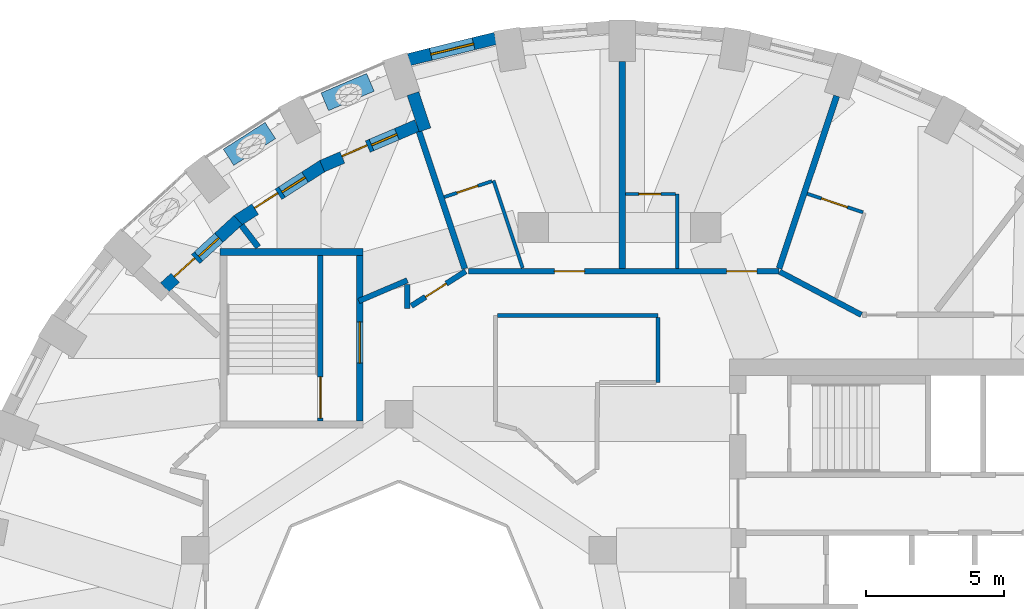
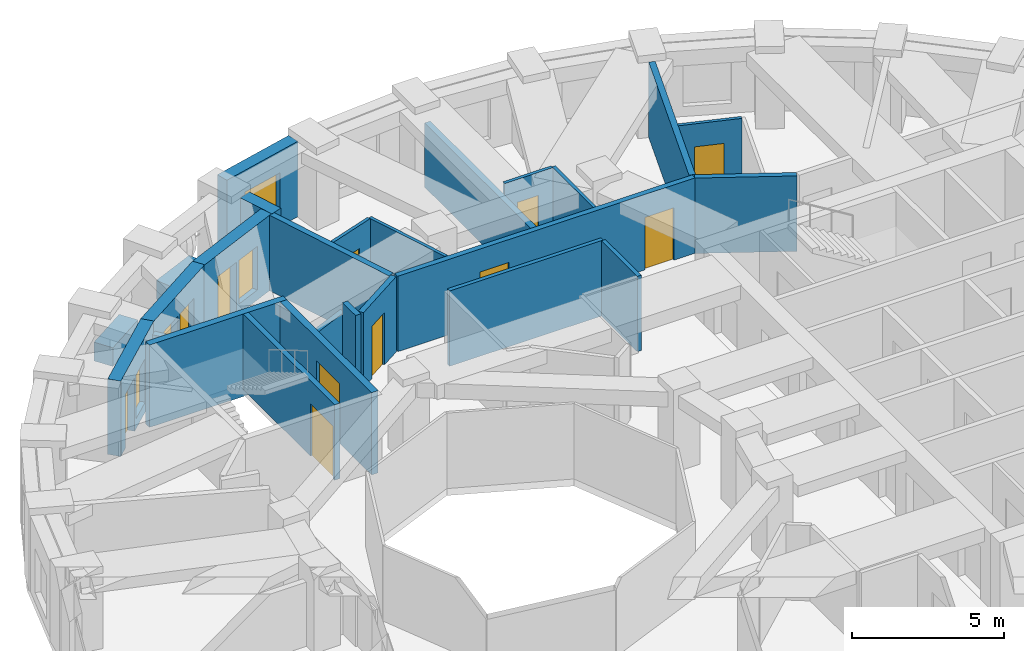
# One storey, part 7 of 12: 26 walls, 11 doors, 4 windows, 15 openings.
"""IFC4 building model written with IfcOpenShell, lengths in metres."""

import ifcopenshell
import ifcopenshell.guid

model = None  # the IFC model being written
_history = None  # IfcOwnerHistory: only IFC2X3 demands one
_inside = {}  # id of a spatial element -> (the spatial element, [elements in it])
_under = {}  # id of a project, library or spatial element -> (it, [spatial elements below it])
_declared = {}  # id of a project -> (the project, [libraries it declares])
_typed = {}  # id of a type object -> (the type object, [elements of that type])
_made_of = {}  # id of a material, layer set ... -> (it, [elements and type objects made of it])


def new_model(schema):
    """Start an empty IFC model of exactly this schema.

    Asked for "IFC4X3", IfcOpenShell would pick the latest addendum, in which some entities
    have other attributes; the version numbers below select the first issue.
    IFC2X3 requires an IfcOwnerHistory on every rooted entity: one is made here for all.
    """
    global model, _history
    if schema == "IFC4X3":
        model = ifcopenshell.file(schema_version=(4, 3, 0, 0))
    else:
        model = ifcopenshell.file(schema=schema)
    _inside.clear()
    _under.clear()
    _declared.clear()
    _typed.clear()
    _made_of.clear()
    _history = None
    if model.schema == "IFC2X3":
        org = make("IfcOrganization", Name="unknown")
        user = make(
            "IfcPersonAndOrganization",
            ThePerson=make("IfcPerson", FamilyName="unknown"),
            TheOrganization=org,
        )
        app = make(
            "IfcApplication",
            ApplicationDeveloper=org,
            Version="unknown",
            ApplicationFullName="unknown",
            ApplicationIdentifier="unknown",
        )
        _history = make(
            "IfcOwnerHistory",
            OwningUser=user,
            OwningApplication=app,
            ChangeAction="ADDED",
            CreationDate=0,
        )
    return model


def make(cls, **values):
    """One entity of the class cls with the attributes given. An attribute that is None is left unset."""
    return model.create_entity(
        cls, **{name: value for name, value in values.items() if value is not None}
    )


def rooted(cls, **values):
    """An entity with a GlobalId (a new one), such as an element, a storey or a relation."""
    return make(cls, GlobalId=ifcopenshell.guid.new(), OwnerHistory=_history, **values)


def si_unit(unit_type, name, prefix=None):
    """IfcSIUnit, for example si_unit("LENGTHUNIT", "METRE", prefix="MILLI")."""
    return make("IfcSIUnit", UnitType=unit_type, Prefix=prefix, Name=name)


def assignment(units):
    """IfcUnitAssignment: the units of a project."""
    return None if units is None else make("IfcUnitAssignment", Units=units)


def point(xyz):
    """IfcCartesianPoint."""
    return None if xyz is None else make("IfcCartesianPoint", Coordinates=xyz)


def direction(xyz):
    """IfcDirection."""
    return None if xyz is None else make("IfcDirection", DirectionRatios=xyz)


def frame(location, z_axis=None, x_axis=None):
    """IfcAxis2Placement3D, a coordinate frame: its origin and axes. An axis left out is left unset."""
    return make(
        "IfcAxis2Placement3D",
        Location=point(location),
        Axis=direction(z_axis),
        RefDirection=direction(x_axis),
    )


def frame_2d(location, x_axis=None):
    """IfcAxis2Placement2D, a coordinate frame in the plane: its origin and x axis."""
    return make(
        "IfcAxis2Placement2D", Location=point(location), RefDirection=direction(x_axis)
    )


def origin():
    """The frame at (0, 0, 0) with its axes left unset."""
    return frame((0.0, 0.0, 0.0))


def place(relative_to, where):
    """IfcLocalPlacement: puts the frame where relative to a parent placement (None: the world)."""
    return make(
        "IfcLocalPlacement", PlacementRelTo=relative_to, RelativePlacement=where
    )


def context(
    kind, dimensions, precision=None, world=None, true_north=None, identifier=None
):
    """IfcGeometricRepresentationContext, for example the 3D "Model" context."""
    return make(
        "IfcGeometricRepresentationContext",
        ContextIdentifier=identifier,
        ContextType=kind,
        CoordinateSpaceDimension=dimensions,
        Precision=precision,
        WorldCoordinateSystem=world,
        TrueNorth=true_north,
    )


def subcontext(parent, identifier, kind, view, scale=None):
    """IfcGeometricRepresentationSubContext, for example "Body" below "Model"."""
    return make(
        "IfcGeometricRepresentationSubContext",
        ContextIdentifier=identifier,
        ContextType=kind,
        ParentContext=parent,
        TargetScale=scale,
        TargetView=view,
    )


def project(units=None, contexts=None):
    """IfcProject with its units and contexts."""
    return rooted(
        "IfcProject",
        Name="project",
        RepresentationContexts=contexts,
        UnitsInContext=assignment(units),
    )


def spatial(cls, under=None, at=None, **own):
    """A site, building, storey or space (cls), placed at a placement, below another one or the project."""
    s = rooted(cls, ObjectPlacement=at, **own)
    if under is not None:
        _under.setdefault(under.id(), (under, []))[1].append(s)
    return s


def profile(cls, at=None, kind="AREA", **sizes):
    """A parametric profile (cls). Its sizes go by their IFC names, for example OverallWidth=200.0."""
    return make(cls, ProfileType=kind, Position=at, **sizes)


def rectangle(**sizes):
    """IfcRectangleProfileDef."""
    return profile("IfcRectangleProfileDef", **sizes)


def extrude(swept, where, along, depth):
    """IfcExtrudedAreaSolid: the profile swept, set in the frame where, extruded along a direction by depth."""
    return make(
        "IfcExtrudedAreaSolid",
        SweptArea=swept,
        Position=where,
        ExtrudedDirection=direction(along),
        Depth=depth,
    )


def shape(context_of_items, identifier, shape_type, items):
    """IfcShapeRepresentation: the items that make up one representation, for example the "Body"."""
    return make(
        "IfcShapeRepresentation",
        ContextOfItems=context_of_items,
        RepresentationIdentifier=identifier,
        RepresentationType=shape_type,
        Items=items,
    )


def material(Name=None, Category=None):
    """IfcMaterial."""
    return make("IfcMaterial", Name=Name, Category=Category)


def layer(
    of_material, thickness, ventilated=None, Name=None, Category=None, Priority=None
):
    """IfcMaterialLayer: one layer of a wall or slab, of a material (None: an air gap)."""
    return make(
        "IfcMaterialLayer",
        Material=of_material,
        LayerThickness=thickness,
        IsVentilated=ventilated,
        Name=Name,
        Category=Category,
        Priority=Priority,
    )


def layer_set(layers, Name=None):
    """IfcMaterialLayerSet."""
    return make("IfcMaterialLayerSet", MaterialLayers=layers, LayerSetName=Name)


def constituent(of_material, Name=None, Category=None, fraction=None):
    """IfcMaterialConstituent: one of the materials an element consists of."""
    return make(
        "IfcMaterialConstituent",
        Name=Name,
        Material=of_material,
        Fraction=fraction,
        Category=Category,
    )


def constituent_set(constituents=None, Name=None):
    """IfcMaterialConstituentSet."""
    return make(
        "IfcMaterialConstituentSet", Name=Name, MaterialConstituents=constituents
    )


def made_of(thing, what):
    """Note that an element or type object is made of a material, layer set ...; save() writes the relation."""
    if what is not None:
        _made_of.setdefault(what.id(), (what, []))[1].append(thing)
    return thing


def type_object(cls, material=None, **own):
    """A type object (cls), such as IfcWallType, which elements share."""
    return made_of(rooted(cls, **own), material)


def element(
    cls,
    number,
    at=None,
    inside=None,
    cuts=None,
    type_object=None,
    material=None,
    context=None,
    identifier="Body",
    shape_type=None,
    held_by="IfcProductDefinitionShape",
    body=None,
    shapes=None,
    **own,
):
    """One element of the class cls, such as IfcWall. Its Tag is "e" and its number.

    at: its placement. inside: the storey or other place that contains it. cuts: it is an
    opening in that element (IfcRelVoidsElement). A single representation is given by context,
    identifier, shape_type and body (its items); several are given by shapes. held_by: the class
    of the entity that holds the representations. save() writes the other relations.
    """
    e = rooted(cls, Tag="e%d" % number, ObjectPlacement=at, **own)
    if body is not None:
        shapes = [shape(context, identifier, shape_type, body)]
    if shapes is not None:
        e.Representation = make(held_by, Representations=shapes)
    if inside is not None:
        _inside.setdefault(inside.id(), (inside, []))[1].append(e)
    if cuts is not None:
        rooted(
            "IfcRelVoidsElement", RelatingBuildingElement=cuts, RelatedOpeningElement=e
        )
    if type_object is not None:
        _typed.setdefault(type_object.id(), (type_object, []))[1].append(e)
    return made_of(e, material)


def fill(opening, filler):
    """IfcRelFillsElement: the door or window that sits in an opening."""
    return rooted(
        "IfcRelFillsElement",
        RelatingOpeningElement=opening,
        RelatedBuildingElement=filler,
    )


def aggregate(whole, parts):
    """IfcRelAggregates: a whole, such as a stair, and the parts it consists of."""
    return rooted("IfcRelAggregates", RelatingObject=whole, RelatedObjects=parts)


def save(model, path):
    """Write the relations noted so far, then the file.

    IfcRelAggregates (storeys below a building ...), IfcRelContainedInSpatialStructure (elements
    in a storey), IfcRelDefinesByType, IfcRelAssociatesMaterial and IfcRelDeclares: one each for
    every whole, place, type object, material and project.
    """
    for whole, parts in _under.values():
        aggregate(whole, parts)
    for where, things in _inside.values():
        rooted(
            "IfcRelContainedInSpatialStructure",
            RelatedElements=things,
            RelatingStructure=where,
        )
    for kind, things in _typed.values():
        rooted("IfcRelDefinesByType", RelatedObjects=things, RelatingType=kind)
    for what, things in _made_of.values():
        rooted("IfcRelAssociatesMaterial", RelatedObjects=things, RelatingMaterial=what)
    for by, libraries in _declared.values():
        rooted("IfcRelDeclares", RelatingContext=by, RelatedDefinitions=libraries)
    model.write(path)


model = new_model("IFC4")

# Units and contexts
model_context = context("Model", 3, precision=1e-05, world=origin(), true_north=direction((0.0, 1.0)))
body_context = subcontext(model_context, "Body", "Model", "MODEL_VIEW")
ifc_project = project(units=[si_unit("LENGTHUNIT", "METRE"), si_unit("AREAUNIT", "SQUARE_METRE"), si_unit("VOLUMEUNIT", "CUBIC_METRE"), si_unit("PLANEANGLEUNIT", "RADIAN"), si_unit("MASSUNIT", "GRAM", prefix="KILO")], contexts=[model_context])

# Site, building, storey
site_placement = place(None, origin())
site = spatial("IfcSite", under=ifc_project, at=site_placement, CompositionType="ELEMENT")
building_placement = place(site_placement, origin())
building = spatial("IfcBuilding", under=site, at=building_placement, Name="Taillehof Tower", CompositionType="ELEMENT")
storey_placement = place(building_placement, frame((0.0, 0.0, 171.5)))
storey = spatial("IfcBuildingStorey", under=building, at=storey_placement, Name="L48", CompositionType="ELEMENT", Elevation=171.5)

# Wall, opening, window
ifc_material_1 = material(Name="Brick masonry", Category="masonry")
ifc_layer_1 = layer(ifc_material_1, 0.449951171875)
ifc_layer_set_1 = layer_set([ifc_layer_1], Name="Brick infill wall 450")
wall_type_1 = type_object("IfcWallType", Name="Brick infill wall 450", PredefinedType="SOLIDWALL", material=ifc_layer_set_1)
wall_1_placement = place(storey_placement, frame((-4.499267578125, 21.633056640625, 0.0), z_axis=(0.0, 0.0, 1.0), x_axis=(-0.971232901476, -0.238131583563, 0.0)))
wall_1 = element("IfcWall", 1, at=wall_1_placement, inside=storey, type_object=wall_type_1, Name="Brick wall L48 bay 11", PredefinedType="SOLIDWALL", context=body_context, shape_type="SweptSolid", body=[
    extrude(rectangle(XDim=3.236572265625, YDim=0.449951171875, at=frame_2d((1.6181640625, 0.0))), origin(), (0.0, 0.0, 1.0), 3.02001953125),
])
opening_1_placement = place(wall_1_placement, frame((0.818359375, 0.0, 0.39990234375)))
opening_1 = element("IfcOpeningElement", 2, at=opening_1_placement, cuts=wall_1, Name="Opening W3", PredefinedType="OPENING", context=body_context, shape_type="SweptSolid", body=[
    extrude(rectangle(XDim=1.60009765625, YDim=1.75, at=frame_2d((0.800048828125, 0.875))), frame((0.0, 0.23486328125, 0.0), z_axis=(0.0, -1.0, 0.0), x_axis=(1.0, 0.0, 0.0)), (0.0, 0.0, 1.0), 0.469970703125),
])
ifc_material_2 = material(Name="Aluminium window frame with clear double glazing", Category="aluminium")
window_type_1 = type_object("IfcWindowType", Name="Deep-set window 1600x1750", PartitioningType="SINGLE_PANEL", PredefinedType="WINDOW", material=ifc_material_2)
window_1_placement = place(opening_1_placement, origin())
window_1 = element("IfcWindow", 3, at=window_1_placement, inside=storey, type_object=window_type_1, Name="W3", OverallHeight=1.75, OverallWidth=1.60009765625, PartitioningType="SINGLE_PANEL", PredefinedType="WINDOW", context=body_context, shape_type="SweptSolid", body=[
    extrude(rectangle(XDim=1.60009765625, YDim=1.75, at=frame_2d((0.800048828125, 0.875))), frame((0.0, 0.034912109375, 0.0), z_axis=(0.0, -1.0, 0.0), x_axis=(1.0, 0.0, 0.0)), (0.0, 0.0, 1.0), 0.06005859375),
])
fill(opening_1, window_1)

# Wall
wall_2_placement = place(storey_placement, frame((-7.494873046875, 19.62890625, 0.0), z_axis=(0.0, 0.0, 1.0), x_axis=(0.316754470825, -0.948507567293, 0.0)))
element("IfcWall", 4, at=wall_2_placement, inside=storey, type_object=wall_type_1, Name="Brick reveal L48 pocket 3", PredefinedType="SOLIDWALL", context=body_context, shape_type="SweptSolid", body=[
    extrude(rectangle(XDim=1.390380859375, YDim=0.449951171875, at=frame_2d((0.6953125, 0.0))), origin(), (0.0, 0.0, 1.0), 3.02001953125),
])

# Wall, openings, door, window
wall_3_placement = place(storey_placement, frame((-7.34521484375, 18.470458984375, 0.0), z_axis=(0.0, 0.0, 1.0), x_axis=(-0.919454986573, -0.393195279304, 0.0)))
wall_3 = element("IfcWall", 5, at=wall_3_placement, inside=storey, type_object=wall_type_1, Name="Brick wall L48 pocket bay 12", PredefinedType="SOLIDWALL", context=body_context, shape_type="SweptSolid", body=[
    extrude(rectangle(XDim=3.74462890625, YDim=0.449951171875, at=frame_2d((1.872314453125, 0.0))), origin(), (0.0, 0.0, 1.0), 3.02001953125),
])
opening_2_placement = place(wall_3_placement, frame((0.79736328125, 0.0, 0.39990234375)))
opening_2 = element("IfcOpeningElement", 6, at=opening_2_placement, cuts=wall_3, Name="Opening W5", PredefinedType="OPENING", context=body_context, shape_type="SweptSolid", body=[
    extrude(rectangle(XDim=1.0, YDim=1.75, at=frame_2d((0.5, 0.875))), frame((0.0, 0.23486328125, 0.0), z_axis=(0.0, -1.0, 0.0), x_axis=(1.0, 0.0, 0.0)), (0.0, 0.0, 1.0), 0.469970703125),
])
opening_3_placement = place(wall_3_placement, frame((1.947265625, 0.0, 0.0)))
opening_3 = element("IfcOpeningElement", 7, at=opening_3_placement, cuts=wall_3, Name="Opening D4891", PredefinedType="OPENING", context=body_context, shape_type="SweptSolid", body=[
    extrude(rectangle(XDim=1.0, YDim=2.14990234375, at=frame_2d((0.5, 1.074951171875))), frame((0.0, 0.23486328125, 0.0), z_axis=(0.0, -1.0, 0.0), x_axis=(1.0, 0.0, 0.0)), (0.0, 0.0, 1.0), 0.469970703125),
])
ifc_material_3 = material(Name="Aluminium door frame with clear double glazing", Category="aluminium")
door_type_1 = type_object("IfcDoorType", Name="Balcony door 1000x2150", OperationType="SINGLE_SWING_RIGHT", PredefinedType="DOOR", material=ifc_material_3)
door_1_placement = place(opening_3_placement, frame((1.0, 0.0, 0.0), z_axis=(0.0, 0.0, 1.0), x_axis=(-1.0, 0.0, 0.0)))
door_1 = element("IfcDoor", 8, at=door_1_placement, inside=storey, type_object=door_type_1, Name="Balcony door L48 bay 12", OperationType="SINGLE_SWING_RIGHT", OverallHeight=2.14990234375, OverallWidth=1.0, PredefinedType="DOOR", context=body_context, shape_type="SweptSolid", body=[
    extrude(rectangle(XDim=1.0, YDim=2.14990234375, at=frame_2d((0.5, 1.074951171875))), frame((0.0, 0.0751953125, 0.0), z_axis=(0.0, -1.0, 0.0), x_axis=(1.0, 0.0, 0.0)), (0.0, 0.0, 1.0), 0.050048828125),
])
fill(opening_3, door_1)
ifc_material_4 = material(Name="Aluminium window frame with clear double glazing", Category="aluminium")
window_type_2 = type_object("IfcWindowType", Name="Fixed window 1000x1750", PartitioningType="SINGLE_PANEL", PredefinedType="WINDOW", material=ifc_material_4)
window_2_placement = place(opening_2_placement, origin())
window_2 = element("IfcWindow", 9, at=window_2_placement, inside=storey, type_object=window_type_2, Name="W5", OverallHeight=1.75, OverallWidth=1.0, PartitioningType="SINGLE_PANEL", PredefinedType="WINDOW", context=body_context, shape_type="SweptSolid", body=[
    extrude(rectangle(XDim=1.0, YDim=1.75, at=frame_2d((0.5, 0.875))), frame((0.0, 0.034912109375, 0.0), z_axis=(0.0, -1.0, 0.0), x_axis=(1.0, 0.0, 0.0)), (0.0, 0.0, 1.0), 0.06005859375),
])
fill(opening_2, window_2)

wall_4_placement = place(storey_placement, frame((-10.755126953125, 17.015625, 0.0), z_axis=(0.0, 0.0, 1.0), x_axis=(-0.841405539996, -0.540404216549, 0.0)))
wall_4 = element("IfcWall", 10, at=wall_4_placement, inside=storey, type_object=wall_type_1, Name="Brick wall L48 pocket bay 13", PredefinedType="SOLIDWALL", context=body_context, shape_type="SweptSolid", body=[
    extrude(rectangle(XDim=3.701904296875, YDim=0.449951171875, at=frame_2d((1.85107421875, 0.0))), origin(), (0.0, 0.0, 1.0), 3.02001953125),
])
opening_4_placement = place(wall_4_placement, frame((0.77587890625, 0.0, 0.39990234375)))
opening_4 = element("IfcOpeningElement", 11, at=opening_4_placement, cuts=wall_4, Name="Opening W5", PredefinedType="OPENING", context=body_context, shape_type="SweptSolid", body=[
    extrude(rectangle(XDim=1.0, YDim=1.75, at=frame_2d((0.5, 0.875))), frame((0.0, 0.23486328125, 0.0), z_axis=(0.0, -1.0, 0.0), x_axis=(1.0, 0.0, 0.0)), (0.0, 0.0, 1.0), 0.469970703125),
])
opening_5_placement = place(wall_4_placement, frame((1.926025390625, 0.0, 0.0)))
opening_5 = element("IfcOpeningElement", 12, at=opening_5_placement, cuts=wall_4, Name="Opening D4892", PredefinedType="OPENING", context=body_context, shape_type="SweptSolid", body=[
    extrude(rectangle(XDim=1.0, YDim=2.14990234375, at=frame_2d((0.5, 1.074951171875))), frame((0.0, 0.23486328125, 0.0), z_axis=(0.0, -1.0, 0.0), x_axis=(1.0, 0.0, 0.0)), (0.0, 0.0, 1.0), 0.469970703125),
])
door_2_placement = place(opening_5_placement, frame((1.0, 0.0, 0.0), z_axis=(0.0, 0.0, 1.0), x_axis=(-1.0, 0.0, 0.0)))
door_2 = element("IfcDoor", 13, at=door_2_placement, inside=storey, type_object=door_type_1, Name="Balcony door L48 bay 13", OperationType="SINGLE_SWING_LEFT", OverallHeight=2.14990234375, OverallWidth=1.0, PredefinedType="DOOR", context=body_context, shape_type="SweptSolid", body=[
    extrude(rectangle(XDim=1.0, YDim=2.14990234375, at=frame_2d((0.5, 1.074951171875))), frame((0.0, 0.0751953125, 0.0), z_axis=(0.0, -1.0, 0.0), x_axis=(1.0, 0.0, 0.0)), (0.0, 0.0, 1.0), 0.050048828125),
])
fill(opening_5, door_2)
window_3_placement = place(opening_4_placement, origin())
window_3 = element("IfcWindow", 14, at=window_3_placement, inside=storey, type_object=window_type_2, Name="W5", OverallHeight=1.75, OverallWidth=1.0, PartitioningType="SINGLE_PANEL", PredefinedType="WINDOW", context=body_context, shape_type="SweptSolid", body=[
    extrude(rectangle(XDim=1.0, YDim=1.75, at=frame_2d((0.5, 0.875))), frame((0.0, 0.034912109375, 0.0), z_axis=(0.0, -1.0, 0.0), x_axis=(1.0, 0.0, 0.0)), (0.0, 0.0, 1.0), 0.06005859375),
])
fill(opening_4, window_3)

wall_5_placement = place(storey_placement, frame((-13.83935546875, 15.03857421875, 0.0), z_axis=(0.0, 0.0, 1.0), x_axis=(-0.736971705023, -0.675923594791, 0.0)))
wall_5 = element("IfcWall", 15, at=wall_5_placement, inside=storey, type_object=wall_type_1, Name="Brick wall L48 pocket bay 14", PredefinedType="SOLIDWALL", context=body_context, shape_type="SweptSolid", body=[
    extrude(rectangle(XDim=3.611328125, YDim=0.449951171875, at=frame_2d((1.8056640625, 0.0))), origin(), (0.0, 0.0, 1.0), 3.02001953125),
])
opening_6_placement = place(wall_5_placement, frame((0.94580078125, 0.0, 0.39990234375)))
opening_6 = element("IfcOpeningElement", 16, at=opening_6_placement, cuts=wall_5, Name="Opening W5", PredefinedType="OPENING", context=body_context, shape_type="SweptSolid", body=[
    extrude(rectangle(XDim=1.0, YDim=1.75, at=frame_2d((0.5, 0.875))), frame((0.0, 0.23486328125, 0.0), z_axis=(0.0, -1.0, 0.0), x_axis=(1.0, 0.0, 0.0)), (0.0, 0.0, 1.0), 0.469970703125),
])
opening_7_placement = place(wall_5_placement, frame((2.095947265625, 0.0, 0.0)))
opening_7 = element("IfcOpeningElement", 17, at=opening_7_placement, cuts=wall_5, Name="Opening D4893", PredefinedType="OPENING", context=body_context, shape_type="SweptSolid", body=[
    extrude(rectangle(XDim=1.0, YDim=2.14990234375, at=frame_2d((0.5, 1.074951171875))), frame((0.0, 0.23486328125, 0.0), z_axis=(0.0, -1.0, 0.0), x_axis=(1.0, 0.0, 0.0)), (0.0, 0.0, 1.0), 0.469970703125),
])
door_3_placement = place(opening_7_placement, origin())
door_3 = element("IfcDoor", 18, at=door_3_placement, inside=storey, type_object=door_type_1, Name="Balcony door L48 bay 14", OperationType="SINGLE_SWING_LEFT", OverallHeight=2.14990234375, OverallWidth=1.0, PredefinedType="DOOR", context=body_context, shape_type="SweptSolid", body=[
    extrude(rectangle(XDim=1.0, YDim=2.14990234375, at=frame_2d((0.5, 1.074951171875))), frame((0.0, -0.02490234375, 0.0), z_axis=(0.0, -1.0, 0.0), x_axis=(1.0, 0.0, 0.0)), (0.0, 0.0, 1.0), 0.050048828125),
])
fill(opening_7, door_3)
window_4_placement = place(opening_6_placement, origin())
window_4 = element("IfcWindow", 19, at=window_4_placement, inside=storey, type_object=window_type_2, Name="W5", OverallHeight=1.75, OverallWidth=1.0, PartitioningType="SINGLE_PANEL", PredefinedType="WINDOW", context=body_context, shape_type="SweptSolid", body=[
    extrude(rectangle(XDim=1.0, YDim=1.75, at=frame_2d((0.5, 0.875))), frame((0.0, 0.034912109375, 0.0), z_axis=(0.0, -1.0, 0.0), x_axis=(1.0, 0.0, 0.0)), (0.0, 0.0, 1.0), 0.06005859375),
])
fill(opening_6, window_4)

# Walls
ifc_material_5 = material(Name="Gypsum board on steel studs, two layers each side", Category="steel")
ifc_layer_2 = layer(ifc_material_5, 0.199951171875)
ifc_layer_set_2 = layer_set([ifc_layer_2], Name="Compartment wall corridor 200")
wall_type_2 = type_object("IfcWallType", Name="Compartment wall corridor 200", PredefinedType="PARTITIONING", material=ifc_layer_set_2)
wall_6_placement = place(storey_placement, frame((-9.46044921875, 12.1005859375, 0.0), z_axis=(0.0, 0.0, 1.0), x_axis=(0.919441549003, 0.393226700475, 0.0)))
element("IfcWall", 20, at=wall_6_placement, inside=storey, type_object=wall_type_2, Name="Compartment wall", PredefinedType="PARTITIONING", context=body_context, shape_type="SweptSolid", body=[
    extrude(rectangle(XDim=1.914794921875, YDim=0.199951171875, at=frame_2d((0.95751953125, 0.0))), origin(), (0.0, 0.0, 1.0), 2.570068359375),
])
wall_7_placement = place(storey_placement, frame((-7.699951171875, 12.693359375, 0.0), z_axis=(0.0, 0.0, 1.0), x_axis=(0.0, -1.0, 0.0)))
element("IfcWall", 21, at=wall_7_placement, inside=storey, type_object=wall_type_2, Name="Compartment wall", PredefinedType="PARTITIONING", context=body_context, shape_type="SweptSolid", body=[
    extrude(rectangle(XDim=0.864013671875, YDim=0.199951171875, at=frame_2d((0.43212890625, 0.0))), origin(), (0.0, 0.0, 1.0), 3.02001953125),
])

# Wall, opening, door
wall_8_placement = place(storey_placement, frame((-7.54833984375, 11.926025390625, 0.0), z_axis=(0.0, 0.0, 1.0), x_axis=(0.842760799664, 0.538288244855, 0.0)))
wall_8 = element("IfcWall", 22, at=wall_8_placement, inside=storey, type_object=wall_type_2, Name="Compartment wall", PredefinedType="PARTITIONING", context=body_context, shape_type="SweptSolid", body=[
    extrude(rectangle(XDim=2.335693359375, YDim=0.199951171875, at=frame_2d((1.16796875, 0.0))), origin(), (0.0, 0.0, 1.0), 3.02001953125),
])
opening_8_placement = place(wall_8_placement, frame((0.602294921875, 0.0, 0.0)))
opening_8 = element("IfcOpeningElement", 23, at=opening_8_placement, cuts=wall_8, Name="Opening D4846", PredefinedType="OPENING", context=body_context, shape_type="SweptSolid", body=[
    extrude(rectangle(XDim=0.89990234375, YDim=2.10009765625, at=frame_2d((0.449951171875, 1.050048828125))), frame((0.0, 0.10986328125, 0.0), z_axis=(0.0, -1.0, 0.0), x_axis=(1.0, 0.0, 0.0)), (0.0, 0.0, 1.0), 0.219970703125),
])
ifc_material_6 = material(Name="Timber door leaf in steel frame", Category="steel")
door_type_2 = type_object("IfcDoorType", Name="Service room door EI 30 900 x 2100", OperationType="SINGLE_SWING_LEFT", PredefinedType="DOOR", material=ifc_material_6)
door_4_placement = place(opening_8_placement, origin())
door_4 = element("IfcDoor", 24, at=door_4_placement, inside=storey, type_object=door_type_2, Name="D4846", OperationType="SINGLE_SWING_LEFT", OverallHeight=2.10009765625, OverallWidth=0.89990234375, PredefinedType="DOOR", context=body_context, shape_type="SweptSolid", body=[
    extrude(rectangle(XDim=0.89990234375, YDim=2.10009765625, at=frame_2d((0.449951171875, 1.050048828125))), frame((0.0, 0.02490234375, 0.0), z_axis=(0.0, -1.0, 0.0), x_axis=(1.0, 0.0, 0.0)), (0.0, 0.0, 1.0), 0.050048828125),
])
fill(opening_8, door_4)

# Wall, openings, doors
wall_9_placement = place(storey_placement, frame((-5.479736328125, 13.183349609375, 0.0), z_axis=(0.0, 0.0, 1.0), x_axis=(1.0, 0.0, 0.0)))
wall_9 = element("IfcWall", 25, at=wall_9_placement, inside=storey, type_object=wall_type_2, Name="Compartment wall", PredefinedType="PARTITIONING", context=body_context, shape_type="SweptSolid", body=[
    extrude(rectangle(XDim=11.259765625, YDim=0.199951171875, at=frame_2d((5.6298828125, 0.0))), origin(), (0.0, 0.0, 1.0), 3.02001953125),
])
opening_9_placement = place(wall_9_placement, frame((9.368408203125, 0.0, 0.0)))
opening_9 = element("IfcOpeningElement", 26, at=opening_9_placement, cuts=wall_9, Name="Opening D4842", PredefinedType="OPENING", context=body_context, shape_type="SweptSolid", body=[
    extrude(rectangle(XDim=1.10009765625, YDim=2.10009765625, at=frame_2d((0.550048828125, 1.050048828125))), frame((0.0, 0.10986328125, 0.0), z_axis=(0.0, -1.0, 0.0), x_axis=(1.0, 0.0, 0.0)), (0.0, 0.0, 1.0), 0.219970703125),
])
opening_10_placement = place(wall_9_placement, frame((3.114501953125, 0.0, 0.0)))
opening_10 = element("IfcOpeningElement", 27, at=opening_10_placement, cuts=wall_9, Name="Opening D4844", PredefinedType="OPENING", context=body_context, shape_type="SweptSolid", body=[
    extrude(rectangle(XDim=1.10009765625, YDim=2.10009765625, at=frame_2d((0.550048828125, 1.050048828125))), frame((0.0, 0.10986328125, 0.0), z_axis=(0.0, -1.0, 0.0), x_axis=(1.0, 0.0, 0.0)), (0.0, 0.0, 1.0), 0.219970703125),
])
ifc_material_7 = material(Name="Timber door leaf in steel frame", Category="steel")
door_type_3 = type_object("IfcDoorType", Name="Suite entrance door EI 30 1100 x 2100", OperationType="SINGLE_SWING_LEFT", PredefinedType="DOOR", material=ifc_material_7)
door_5_placement = place(opening_9_placement, origin())
door_5 = element("IfcDoor", 28, at=door_5_placement, inside=storey, type_object=door_type_3, Name="D4842", OperationType="SINGLE_SWING_RIGHT", OverallHeight=2.10009765625, OverallWidth=1.10009765625, PredefinedType="DOOR", context=body_context, shape_type="SweptSolid", body=[
    extrude(rectangle(XDim=1.10009765625, YDim=2.10009765625, at=frame_2d((0.550048828125, 1.050048828125))), frame((0.0, 0.02490234375, 0.0), z_axis=(0.0, -1.0, 0.0), x_axis=(1.0, 0.0, 0.0)), (0.0, 0.0, 1.0), 0.050048828125),
])
fill(opening_9, door_5)
door_6_placement = place(opening_10_placement, origin())
door_6 = element("IfcDoor", 29, at=door_6_placement, inside=storey, type_object=door_type_3, Name="D4844", OperationType="SINGLE_SWING_LEFT", OverallHeight=2.10009765625, OverallWidth=1.10009765625, PredefinedType="DOOR", context=body_context, shape_type="SweptSolid", body=[
    extrude(rectangle(XDim=1.10009765625, YDim=2.10009765625, at=frame_2d((0.550048828125, 1.050048828125))), frame((0.0, 0.02490234375, 0.0), z_axis=(0.0, -1.0, 0.0), x_axis=(1.0, 0.0, 0.0)), (0.0, 0.0, 1.0), 0.050048828125),
])
fill(opening_10, door_6)

# Walls
wall_10_placement = place(storey_placement, frame((5.815185546875, 13.164794921875, 0.0), z_axis=(0.0, 0.0, 1.0), x_axis=(0.884172365794, -0.46716081553, 0.0)))
element("IfcWall", 30, at=wall_10_placement, inside=storey, type_object=wall_type_2, Name="Compartment wall", PredefinedType="PARTITIONING", context=body_context, shape_type="SweptSolid", body=[
    extrude(rectangle(XDim=3.349365234375, YDim=0.199951171875, at=frame_2d((1.6748046875, 0.0))), origin(), (0.0, 0.0, 1.0), 3.02001953125),
])
ifc_material_8 = material(Name="Gypsum board on double steel studs with mineral wool", Category="steel")
ifc_layer_3 = layer(ifc_material_8, 0.219970703125)
ifc_layer_set_3 = layer_set([ifc_layer_3], Name="Compartment wall guest room 220")
wall_type_3 = type_object("IfcWallType", Name="Compartment wall guest room 220", PredefinedType="PARTITIONING", material=ifc_layer_set_3)
wall_11_placement = place(storey_placement, frame((7.8828125, 19.544921875, 0.0), z_axis=(0.0, 0.0, 1.0), x_axis=(-0.316704947573, -0.948524104166, 0.0)))
element("IfcWall", 31, at=wall_11_placement, inside=storey, type_object=wall_type_3, Name="Compartment wall", PredefinedType="PARTITIONING", context=body_context, shape_type="SweptSolid", body=[
    extrude(rectangle(XDim=6.599365234375, YDim=0.219970703125, at=frame_2d((3.2998046875, 0.0))), origin(), (0.0, 0.0, 1.0), 3.02001953125),
])
wall_12_placement = place(storey_placement, frame((0.10009765625, 20.800048828125, 0.0), z_axis=(0.0, 0.0, 1.0), x_axis=(0.0, -1.0, 0.0)))
element("IfcWall", 32, at=wall_12_placement, inside=storey, type_object=wall_type_3, Name="Compartment wall", PredefinedType="PARTITIONING", context=body_context, shape_type="SweptSolid", body=[
    extrude(rectangle(XDim=7.5166015625, YDim=0.219970703125, at=frame_2d((3.75830078125, 0.0))), origin(), (0.0, 0.0, 1.0), 2.570068359375),
])
wall_13_placement = place(storey_placement, frame((-7.27392578125, 18.25634765625, 0.0), z_axis=(0.0, 0.0, 1.0), x_axis=(0.316758050248, -0.948506371936, 0.0)))
element("IfcWall", 33, at=wall_13_placement, inside=storey, type_object=wall_type_3, Name="Compartment wall", PredefinedType="PARTITIONING", context=body_context, shape_type="SweptSolid", body=[
    extrude(rectangle(XDim=5.248046875, YDim=0.219970703125, at=frame_2d((2.6240234375, 0.0))), origin(), (0.0, 0.0, 1.0), 3.02001953125),
])
wall_14_placement = place(storey_placement, frame((-13.716064453125, 14.846435546875, 0.0), z_axis=(0.0, 0.0, 1.0), x_axis=(0.609971806764, -0.792423116115, 0.0)))
element("IfcWall", 34, at=wall_14_placement, inside=storey, type_object=wall_type_3, Name="Compartment wall", PredefinedType="PARTITIONING", context=body_context, shape_type="SweptSolid", body=[
    extrude(rectangle(XDim=0.994140625, YDim=0.219970703125, at=frame_2d((0.4970703125, 0.0))), origin(), (0.0, 0.0, 1.0), 2.570068359375),
])
ifc_material_9 = material(Name="Gypsum board on steel studs, two layers each side", Category="steel")
ifc_layer_4 = layer(ifc_material_9, 0.14990234375)
ifc_layer_set_4 = layer_set([ifc_layer_4], Name="Compartment wall service room 150")
wall_type_4 = type_object("IfcWallType", Name="Compartment wall service room 150", PredefinedType="PARTITIONING", material=ifc_layer_set_4)
wall_15_placement = place(storey_placement, frame((-4.419921875, 11.583251953125, 0.0), z_axis=(0.0, 0.0, 1.0), x_axis=(1.0, 0.0, 0.0)))
element("IfcWall", 35, at=wall_15_placement, inside=storey, type_object=wall_type_4, Name="Compartment wall", PredefinedType="PARTITIONING", context=body_context, shape_type="SweptSolid", body=[
    extrude(rectangle(XDim=5.81982421875, YDim=0.14990234375, at=frame_2d((2.909912109375, 0.0))), origin(), (0.0, 0.0, 1.0), 3.02001953125),
])
wall_16_placement = place(storey_placement, frame((1.39990234375, 11.503173828125, 0.0), z_axis=(0.0, 0.0, 1.0), x_axis=(0.0, -1.0, 0.0)))
element("IfcWall", 36, at=wall_16_placement, inside=storey, type_object=wall_type_4, Name="Compartment wall", PredefinedType="PARTITIONING", context=body_context, shape_type="SweptSolid", body=[
    extrude(rectangle(XDim=2.353271484375, YDim=0.14990234375, at=frame_2d((1.1767578125, 0.0))), origin(), (0.0, 0.0, 1.0), 3.02001953125),
])
ifc_material_10 = material(Name="Gypsum board on steel studs, moisture resistant", Category="steel")
ifc_layer_5 = layer(ifc_material_10, 0.1201171875)
ifc_layer_set_5 = layer_set([ifc_layer_5], Name="En-suite wall 120")
wall_type_5 = type_object("IfcWallType", Name="En-suite wall 120", PredefinedType="PARTITIONING", material=ifc_layer_set_5)
wall_17_placement = place(storey_placement, frame((2.10009765625, 13.283447265625, 0.0), z_axis=(0.0, 0.0, 1.0), x_axis=(0.0, 1.0, 0.0)))
element("IfcWall", 37, at=wall_17_placement, inside=storey, type_object=wall_type_5, Name="En-suite wall", PredefinedType="PARTITIONING", context=body_context, shape_type="SweptSolid", body=[
    extrude(rectangle(XDim=2.69970703125, YDim=0.1201171875, at=frame_2d((1.349853515625, 0.0))), origin(), (0.0, 0.0, 1.0), 3.02001953125),
])
wall_18_placement = place(storey_placement, frame((-3.51123046875, 13.302490234375, 0.0), z_axis=(0.0, 0.0, 1.0), x_axis=(-0.316666024344, 0.948537099447, 0.0)))
element("IfcWall", 38, at=wall_18_placement, inside=storey, type_object=wall_type_5, Name="En-suite wall", PredefinedType="PARTITIONING", context=body_context, shape_type="SweptSolid", body=[
    extrude(rectangle(XDim=3.34228515625, YDim=0.1201171875, at=frame_2d((1.671142578125, 0.0))), origin(), (0.0, 0.0, 1.0), 3.02001953125),
])

# Wall, opening, door
wall_19_placement = place(storey_placement, frame((8.83349609375, 15.319580078125, 0.0), z_axis=(0.0, 0.0, 1.0), x_axis=(-0.948557130447, 0.316606017438, 0.0)))
wall_19 = element("IfcWall", 39, at=wall_19_placement, inside=storey, type_object=wall_type_5, Name="En-suite wall", PredefinedType="PARTITIONING", context=body_context, shape_type="SweptSolid", body=[
    extrude(rectangle(XDim=2.1298828125, YDim=0.1201171875, at=frame_2d((1.06494140625, 0.0))), origin(), (0.0, 0.0, 1.0), 3.02001953125),
])
opening_11_placement = place(wall_19_placement, frame((0.58984375, 0.0, 0.0)))
opening_11 = element("IfcOpeningElement", 40, at=opening_11_placement, cuts=wall_19, Name="Opening D4841", PredefinedType="OPENING", context=body_context, shape_type="SweptSolid", body=[
    extrude(rectangle(XDim=1.0, YDim=2.10009765625, at=frame_2d((0.5, 1.050048828125))), frame((0.0, 0.070068359375, 0.0), z_axis=(0.0, -1.0, 0.0), x_axis=(1.0, 0.0, 0.0)), (0.0, 0.0, 1.0), 0.14013671875),
])
ifc_material_11 = material(Name="Timber door leaf in steel frame", Category="steel")
door_type_4 = type_object("IfcDoorType", Name="Accessible en-suite door 1000 x 2100", OperationType="SINGLE_SWING_LEFT", PredefinedType="DOOR", material=ifc_material_11)
door_7_placement = place(opening_11_placement, origin())
door_7 = element("IfcDoor", 41, at=door_7_placement, inside=storey, type_object=door_type_4, Name="D4841", OperationType="SINGLE_SWING_LEFT", OverallHeight=2.10009765625, OverallWidth=1.0, PredefinedType="DOOR", context=body_context, shape_type="SweptSolid", body=[
    extrude(rectangle(XDim=1.0, YDim=2.10009765625, at=frame_2d((0.5, 1.050048828125))), frame((0.0, 0.02490234375, 0.0), z_axis=(0.0, -1.0, 0.0), x_axis=(1.0, 0.0, 0.0)), (0.0, 0.0, 1.0), 0.050048828125),
])
fill(opening_11, door_7)

wall_20_placement = place(storey_placement, frame((2.0400390625, 15.983154296875, 0.0), z_axis=(0.0, 0.0, 1.0), x_axis=(-1.0, 0.0, 0.0)))
wall_20 = element("IfcWall", 42, at=wall_20_placement, inside=storey, type_object=wall_type_5, Name="En-suite wall", PredefinedType="PARTITIONING", context=body_context, shape_type="SweptSolid", body=[
    extrude(rectangle(XDim=1.829833984375, YDim=0.1201171875, at=frame_2d((0.9150390625, 0.0))), origin(), (0.0, 0.0, 1.0), 3.02001953125),
])
opening_12_placement = place(wall_20_placement, frame((0.5400390625, 0.0, 0.0)))
opening_12 = element("IfcOpeningElement", 43, at=opening_12_placement, cuts=wall_20, Name="Opening D4843", PredefinedType="OPENING", context=body_context, shape_type="SweptSolid", body=[
    extrude(rectangle(XDim=0.800048828125, YDim=2.10009765625, at=frame_2d((0.39990234375, 1.050048828125))), frame((0.0, 0.070068359375, 0.0), z_axis=(0.0, -1.0, 0.0), x_axis=(1.0, 0.0, 0.0)), (0.0, 0.0, 1.0), 0.14013671875),
])
ifc_material_12 = material(Name="Timber door leaf in steel frame", Category="steel")
door_type_5 = type_object("IfcDoorType", Name="En-suite door 800 x 2100", OperationType="SINGLE_SWING_LEFT", PredefinedType="DOOR", material=ifc_material_12)
door_8_placement = place(opening_12_placement, origin())
door_8 = element("IfcDoor", 44, at=door_8_placement, inside=storey, type_object=door_type_5, Name="D4843", OperationType="SINGLE_SWING_LEFT", OverallHeight=2.10009765625, OverallWidth=0.800048828125, PredefinedType="DOOR", context=body_context, shape_type="SweptSolid", body=[
    extrude(rectangle(XDim=0.800048828125, YDim=2.10009765625, at=frame_2d((0.39990234375, 1.050048828125))), frame((0.0, 0.02490234375, 0.0), z_axis=(0.0, -1.0, 0.0), x_axis=(1.0, 0.0, 0.0)), (0.0, 0.0, 1.0), 0.050048828125),
])
fill(opening_12, door_8)

wall_21_placement = place(storey_placement, frame((-4.62646484375, 16.45361328125, 0.0), z_axis=(0.0, 0.0, 1.0), x_axis=(-0.9485230882, -0.31670799035, 0.0)))
wall_21 = element("IfcWall", 45, at=wall_21_placement, inside=storey, type_object=wall_type_5, Name="En-suite wall", PredefinedType="PARTITIONING", context=body_context, shape_type="SweptSolid", body=[
    extrude(rectangle(XDim=1.830078125, YDim=0.1201171875, at=frame_2d((0.9150390625, 0.0))), origin(), (0.0, 0.0, 1.0), 3.02001953125),
])
opening_13_placement = place(wall_21_placement, frame((0.5400390625, 0.0, 0.0)))
opening_13 = element("IfcOpeningElement", 46, at=opening_13_placement, cuts=wall_21, Name="Opening D4845", PredefinedType="OPENING", context=body_context, shape_type="SweptSolid", body=[
    extrude(rectangle(XDim=0.800048828125, YDim=2.10009765625, at=frame_2d((0.39990234375, 1.050048828125))), frame((0.0, 0.070068359375, 0.0), z_axis=(0.0, -1.0, 0.0), x_axis=(1.0, 0.0, 0.0)), (0.0, 0.0, 1.0), 0.14013671875),
])
door_9_placement = place(opening_13_placement, origin())
door_9 = element("IfcDoor", 47, at=door_9_placement, inside=storey, type_object=door_type_5, Name="D4845", OperationType="SINGLE_SWING_LEFT", OverallHeight=2.10009765625, OverallWidth=0.800048828125, PredefinedType="DOOR", context=body_context, shape_type="SweptSolid", body=[
    extrude(rectangle(XDim=0.800048828125, YDim=2.10009765625, at=frame_2d((0.39990234375, 1.050048828125))), frame((0.0, 0.02490234375, 0.0), z_axis=(0.0, -1.0, 0.0), x_axis=(1.0, 0.0, 0.0)), (0.0, 0.0, 1.0), 0.050048828125),
])
fill(opening_13, door_9)

# Walls
ifc_material_13 = material(Name="Concrete C30/37 precast", Category="concrete")
ifc_constituent_1 = constituent(ifc_material_13, Name="Structure", Category="concrete")
ifc_material_14 = material(Name="Insulated lining")
ifc_constituent_2 = constituent(ifc_material_14, Name="Lining")
ifc_constituent_set = constituent_set(constituents=[ifc_constituent_1, ifc_constituent_2], Name="Planter trough 700x750")
wall_type_6 = type_object("IfcWallType", Name="Planter trough 700x750", PredefinedType="USERDEFINED", material=ifc_constituent_set)
for number, where, z_axis, x_axis, name in (
    (48, (-9.038818359375, 20.03759765625, 0.0), (0.0, 0.0, 1.0), (-0.919810148832, -0.3923637217, 0.0), "Planter L48 bay 12"),
    (49, (-12.67041015625, 18.28857421875, 0.0), (0.0, 0.0, 1.0), (-0.842032375698, -0.539426990682, 0.0), "Planter L48 bay 13"),
):
    element("IfcWall", number, at=place(storey_placement, frame(where, z_axis=z_axis, x_axis=x_axis)), inside=storey, type_object=wall_type_6, Name=name, ObjectType="PLANTER", PredefinedType="USERDEFINED", context=body_context, shape_type="SweptSolid", body=[
        extrude(rectangle(XDim=1.800048828125, YDim=0.699951171875, at=frame_2d((0.89990234375, 0.0))), origin(), (0.0, 0.0, 1.0), 0.75),
    ])

# Wall, opening, door
ifc_material_15 = material(Name="Concrete C50/60", Category="concrete")
ifc_layer_6 = layer(ifc_material_15, 0.199951171875)
ifc_layer_set_6 = layer_set([ifc_layer_6], Name="Shaft wall C50/60 200")
wall_type_7 = type_object("IfcWallType", Name="Shaft wall C50/60 200", PredefinedType="SHEAR", material=ifc_layer_set_6)
wall_22_placement = place(storey_placement, frame((-10.85009765625, 7.75, 0.0), z_axis=(0.0, 0.0, 1.0), x_axis=(0.0, 1.0, 0.0)))
wall_22 = element("IfcWall", 50, at=wall_22_placement, inside=storey, type_object=wall_type_7, Name="Shaft wall SW", PredefinedType="SHEAR", context=body_context, shape_type="SweptSolid", body=[
    extrude(rectangle(XDim=6.0, YDim=0.199951171875, at=frame_2d((3.0, 0.0))), origin(), (0.0, 0.0, 1.0), 3.02001953125),
])
opening_14_placement = place(wall_22_placement, frame((0.10009765625, 0.0, 0.0)))
opening_14 = element("IfcOpeningElement", 51, at=opening_14_placement, cuts=wall_22, Name="Opening D4812", PredefinedType="OPENING", context=body_context, shape_type="SweptSolid", body=[
    extrude(rectangle(XDim=1.5, YDim=2.10009765625, at=frame_2d((0.75, 1.050048828125))), frame((0.0, 0.10986328125, 0.0), z_axis=(0.0, -1.0, 0.0), x_axis=(1.0, 0.0, 0.0)), (0.0, 0.0, 1.0), 0.219970703125),
])
ifc_material_16 = material(Name="Steel-faced fire door", Category="steel")
door_type_6 = type_object("IfcDoorType", Name="Stair door 1500x2100", OperationType="DOUBLE_DOOR_SINGLE_SWING", PredefinedType="DOOR", material=ifc_material_16)
door_10_placement = place(opening_14_placement, origin())
door_10 = element("IfcDoor", 52, at=door_10_placement, inside=storey, type_object=door_type_6, Name="Stair lobby door S3", OperationType="DOUBLE_DOOR_SINGLE_SWING", OverallHeight=2.10009765625, OverallWidth=1.5, PredefinedType="DOOR", context=body_context, shape_type="SweptSolid", body=[
    extrude(rectangle(XDim=1.5, YDim=2.10009765625, at=frame_2d((0.75, 1.050048828125))), frame((0.0, 0.02490234375, 0.0), z_axis=(0.0, -1.0, 0.0), x_axis=(1.0, 0.0, 0.0)), (0.0, 0.0, 1.0), 0.050048828125),
])
fill(opening_14, door_10)

ifc_material_17 = material(Name="Concrete C50/60", Category="concrete")
ifc_layer_7 = layer(ifc_material_17, 0.25)
ifc_layer_set_7 = layer_set([ifc_layer_7], Name="Stair wall C50/60 250")
wall_type_8 = type_object("IfcWallType", Name="Stair wall C50/60 250", PredefinedType="SHEAR", material=ifc_layer_set_7)
wall_23_placement = place(storey_placement, frame((-9.425048828125, 7.75, -0.280029296875), z_axis=(0.0, 0.0, 1.0), x_axis=(0.0, 1.0, 0.0)))
wall_23 = element("IfcWall", 53, at=wall_23_placement, inside=storey, type_object=wall_type_8, Name="Stair wall SC", PredefinedType="SHEAR", context=body_context, shape_type="SweptSolid", body=[
    extrude(rectangle(XDim=6.0, YDim=0.25, at=frame_2d((3.0, 0.0))), origin(), (0.0, 0.0, 1.0), 3.300048828125),
])
opening_15_placement = place(wall_23_placement, frame((2.10009765625, 0.0, 0.280029296875)))
opening_15 = element("IfcOpeningElement", 54, at=opening_15_placement, cuts=wall_23, Name="Opening D4815", PredefinedType="OPENING", context=body_context, shape_type="SweptSolid", body=[
    extrude(rectangle(XDim=1.5, YDim=2.10009765625, at=frame_2d((0.75, 1.050048828125))), frame((0.0, 0.135009765625, 0.0), z_axis=(0.0, -1.0, 0.0), x_axis=(1.0, 0.0, 0.0)), (0.0, 0.0, 1.0), 0.27001953125),
])
door_11_placement = place(opening_15_placement, origin())
door_11 = element("IfcDoor", 55, at=door_11_placement, inside=storey, type_object=door_type_6, Name="Stair door S3", OperationType="DOUBLE_DOOR_SINGLE_SWING", OverallHeight=2.10009765625, OverallWidth=1.5, PredefinedType="DOOR", context=body_context, shape_type="SweptSolid", body=[
    extrude(rectangle(XDim=1.5, YDim=2.10009765625, at=frame_2d((0.75, 1.050048828125))), frame((0.0, 0.02490234375, 0.0), z_axis=(0.0, -1.0, 0.0), x_axis=(1.0, 0.0, 0.0)), (0.0, 0.0, 1.0), 0.050048828125),
])
fill(opening_15, door_11)

# Wall
wall_24_placement = place(storey_placement, frame((-14.5, 13.875, -0.280029296875), z_axis=(0.0, 0.0, 1.0), x_axis=(1.0, 0.0, 0.0)))
element("IfcWall", 56, at=wall_24_placement, inside=storey, type_object=wall_type_8, Name="Stair wall SC", PredefinedType="SHEAR", context=body_context, shape_type="SweptSolid", body=[
    extrude(rectangle(XDim=5.199951171875, YDim=0.25, at=frame_2d((2.60009765625, 0.0))), origin(), (0.0, 0.0, 1.0), 3.300048828125),
])

save(model, "model.ifc")
